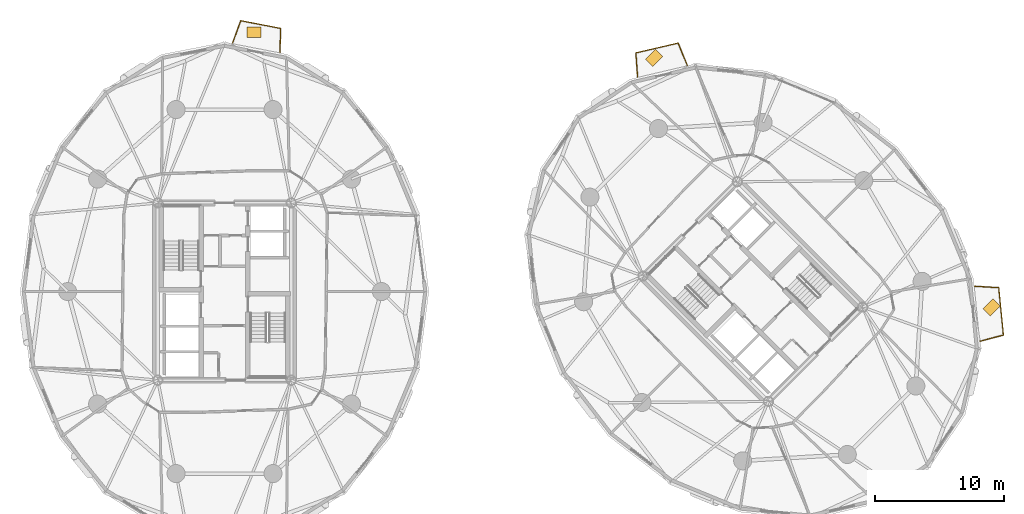
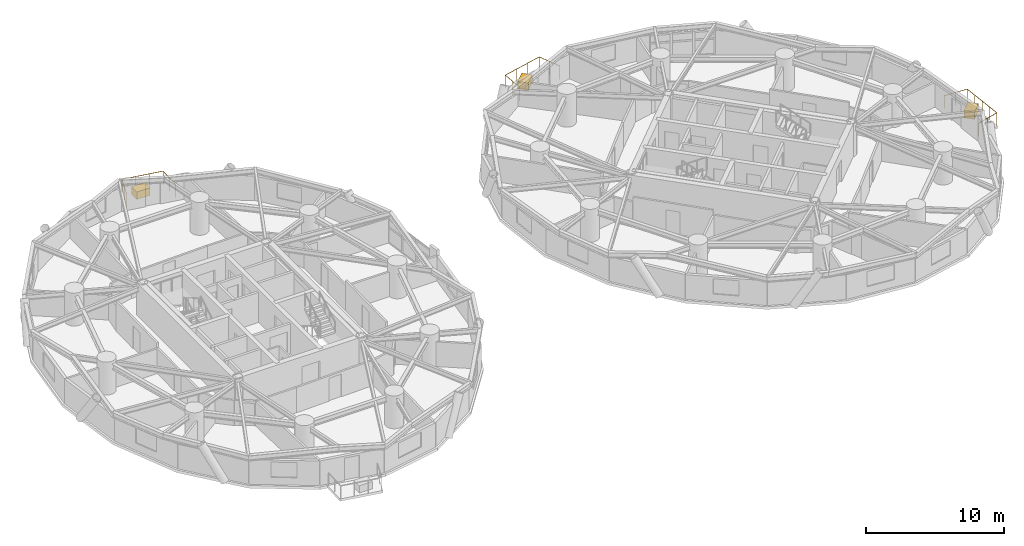
# One storey, part 17 of 17: 3 coverings, 3 railings.
"""IFC4 building model written with IfcOpenShell, lengths in metres."""

from ifc_helpers import new_model, si_unit, direction, frame, origin, origin_2d, place, context, subcontext, project, spatial, rectangle, circle, extrude, source, transform, mapped, material, layer, layer_set, type_object, element, save


model = new_model("IFC4")

# Units and contexts
model_context = context("Model", 3, precision=1e-05, world=origin(), true_north=direction((0.0, 1.0)))
body_context = subcontext(model_context, "Body", "Model", "MODEL_VIEW")
ifc_project = project(units=[si_unit("LENGTHUNIT", "METRE"), si_unit("AREAUNIT", "SQUARE_METRE"), si_unit("VOLUMEUNIT", "CUBIC_METRE"), si_unit("PLANEANGLEUNIT", "RADIAN"), si_unit("MASSUNIT", "GRAM", prefix="KILO")], contexts=[model_context])

# Site, building, storey
site_placement = place(None, origin())
site = spatial("IfcSite", under=ifc_project, at=site_placement, CompositionType="ELEMENT")
building_placement = place(site_placement, origin())
building = spatial("IfcBuilding", under=site, at=building_placement, Name="Cununo Teusaquillo Station Towers", CompositionType="ELEMENT")
storey_placement = place(building_placement, frame((0.0, 0.0, 78.8798828125)))
storey = spatial("IfcBuildingStorey", under=building, at=storey_placement, Name="L24", CompositionType="ELEMENT", Elevation=78.8798828125)

# Railings
ifc_material_1 = material(Name="Anodised dark bronze aluminium EN AW-6063-T6", Category="aluminium")
railing_type_1 = type_object("IfcRailingType", Name="RL-EXT-BALUS", PredefinedType="BALUSTRADE", material=ifc_material_1)
railing_1_placement = place(storey_placement, frame((17.1181640625, 43.771728515625, 0.0)))
element("IfcRailing", 1, at=railing_1_placement, inside=storey, type_object=railing_type_1, Name="L24 Tower A Balcony Guardrail C04", PredefinedType="BALUSTRADE", context=body_context, shape_type="SweptSolid", body=[
    extrude(circle(Radius=0.02392578125, at=origin_2d()), frame((0.0, 0.0, 1.17578125), z_axis=(0.343962021681, 0.9389835609, 0.0), x_axis=(-0.9389835609, 0.343962021681, 0.0)), (0.0, 0.0, 1.0), 1.86328125),
    extrude(circle(Radius=0.02392578125, at=origin_2d()), frame((0.640869140625, 1.74951171875, 1.17578125), z_axis=(0.981834317938, -0.189740275429, 0.0), x_axis=(0.189740275429, 0.981834317938, 0.0)), (0.0, 0.0, 1.0), 3.15380859375),
    extrude(circle(Radius=0.02392578125, at=origin_2d()), frame((3.7373046875, 1.151123046875, 1.17578125), z_axis=(-0.030662031384, -0.999529809376, 0.0), x_axis=(0.999529809376, -0.030662031384, 0.0)), (0.0, 0.0, 1.0), 1.86328125),
    extrude(circle(Radius=0.02099609375, at=origin_2d()), origin(), (0.0, 0.0, 1.0), 1.15185546875),
    extrude(circle(Radius=0.02099609375, at=origin_2d()), frame((0.3203125, 0.874755859375, 0.0)), (0.0, 0.0, 1.0), 1.15185546875),
    extrude(circle(Radius=0.02099609375, at=origin_2d()), frame((0.640869140625, 1.74951171875, 0.0)), (0.0, 0.0, 1.0), 1.15185546875),
    extrude(circle(Radius=0.02099609375, at=origin_2d()), frame((1.673095703125, 1.550048828125, 0.0)), (0.0, 0.0, 1.0), 1.15185546875),
    extrude(circle(Radius=0.02099609375, at=origin_2d()), frame((2.705078125, 1.3505859375, 0.0)), (0.0, 0.0, 1.0), 1.15185546875),
    extrude(circle(Radius=0.02099609375, at=origin_2d()), frame((3.7373046875, 1.151123046875, 0.0)), (0.0, 0.0, 1.0), 1.15185546875),
    extrude(circle(Radius=0.02099609375, at=origin_2d()), frame((3.708740234375, 0.219970703125, 0.0)), (0.0, 0.0, 1.0), 1.15185546875),
    extrude(circle(Radius=0.02099609375, at=origin_2d()), frame((3.68017578125, -0.711181640625, 0.0)), (0.0, 0.0, 1.0), 1.15185546875),
])
railing_2_placement = place(storey_placement, frame((48.55029296875, 41.15771484375, 0.0)))
element("IfcRailing", 2, at=railing_2_placement, inside=storey, type_object=railing_type_1, Name="L24 Tower B Balcony Guardrail C03", PredefinedType="BALUSTRADE", context=body_context, shape_type="SweptSolid", body=[
    extrude(circle(Radius=0.02392578125, at=origin_2d()), frame((0.0, 0.0, 1.17578125), z_axis=(-0.069053440488, 0.997612962204, 0.0), x_axis=(-0.997612962204, -0.069053440488, 0.0)), (0.0, 0.0, 1.0), 1.86669921875),
    extrude(circle(Radius=0.02392578125, at=origin_2d()), frame((-0.12890625, 1.8623046875, 1.17578125), z_axis=(0.973836929395, 0.227247959168, 0.0), x_axis=(-0.227247959168, 0.973836929395, 0.0)), (0.0, 0.0, 1.0), 3.365966796875),
    extrude(circle(Radius=0.02392578125, at=origin_2d()), frame((3.14892578125, 2.627197265625, 1.17578125), z_axis=(0.379585063145, -0.925156840669, 0.0), x_axis=(0.925156840669, 0.379585063145, 0.0)), (0.0, 0.0, 1.0), 1.866455078125),
    extrude(circle(Radius=0.02099609375, at=origin_2d()), origin(), (0.0, 0.0, 1.0), 1.15185546875),
    extrude(circle(Radius=0.02099609375, at=origin_2d()), frame((-0.064453125, 0.93115234375, 0.0)), (0.0, 0.0, 1.0), 1.15185546875),
    extrude(circle(Radius=0.02099609375, at=origin_2d()), frame((-0.12890625, 1.8623046875, 0.0)), (0.0, 0.0, 1.0), 1.15185546875),
    extrude(circle(Radius=0.02099609375, at=origin_2d()), frame((0.963623046875, 2.1171875, 0.0)), (0.0, 0.0, 1.0), 1.15185546875),
    extrude(circle(Radius=0.02099609375, at=origin_2d()), frame((2.056396484375, 2.372314453125, 0.0)), (0.0, 0.0, 1.0), 1.15185546875),
    extrude(circle(Radius=0.02099609375, at=origin_2d()), frame((3.14892578125, 2.627197265625, 0.0)), (0.0, 0.0, 1.0), 1.15185546875),
    extrude(circle(Radius=0.02099609375, at=origin_2d()), frame((3.503173828125, 1.763671875, 0.0)), (0.0, 0.0, 1.0), 1.15185546875),
    extrude(circle(Radius=0.02099609375, at=origin_2d()), frame((3.857421875, 0.900390625, 0.0)), (0.0, 0.0, 1.0), 1.15185546875),
])
ifc_material_2 = material(Name="Anodised dark bronze aluminium EN AW-6063-T6", Category="aluminium")
railing_type_2 = type_object("IfcRailingType", Name="RL-EXT-GUARD", PredefinedType="GUARDRAIL", material=ifc_material_2)
railing_3_placement = place(storey_placement, frame((74.7138671875, 24.914306640625, 0.0)))
element("IfcRailing", 3, at=railing_3_placement, inside=storey, type_object=railing_type_2, Name="L24 Tower B Balcony Guardrail C17", PredefinedType="GUARDRAIL", context=body_context, shape_type="SweptSolid", body=[
    extrude(circle(Radius=0.02392578125, at=origin_2d()), frame((0.0, 0.0, 1.1259765625), z_axis=(0.998126483753, -0.061184331575, 0.0), x_axis=(0.061184331575, 0.998126483753, 0.0)), (0.0, 0.0, 1.0), 1.871337890625),
    extrude(circle(Radius=0.02392578125, at=origin_2d()), frame((1.867919921875, -0.114501953125, 1.1259765625), z_axis=(0.098593628704, -0.99512777892, 0.0), x_axis=(0.99512777892, 0.098593628704, 0.0)), (0.0, 0.0, 1.0), 3.692138671875),
    extrude(circle(Radius=0.02392578125, at=origin_2d()), frame((2.23193359375, -3.78857421875, 1.1259765625), z_axis=(-0.966720413281, -0.255835186295, 0.0), x_axis=(0.255835186295, -0.966720413281, 0.0)), (0.0, 0.0, 1.0), 1.871337890625),
    extrude(circle(Radius=0.02099609375, at=origin_2d()), origin(), (0.0, 0.0, 1.0), 1.101806640625),
    extrude(circle(Radius=0.02099609375, at=origin_2d()), frame((0.93408203125, -0.05712890625, 0.0)), (0.0, 0.0, 1.0), 1.101806640625),
    extrude(circle(Radius=0.02099609375, at=origin_2d()), frame((1.867919921875, -0.114501953125, 0.0)), (0.0, 0.0, 1.0), 1.101806640625),
    extrude(circle(Radius=0.02099609375, at=origin_2d()), frame((1.958984375, -1.032958984375, 0.0)), (0.0, 0.0, 1.0), 1.101806640625),
    extrude(circle(Radius=0.02099609375, at=origin_2d()), frame((2.0498046875, -1.95166015625, 0.0)), (0.0, 0.0, 1.0), 1.101806640625),
    extrude(circle(Radius=0.02099609375, at=origin_2d()), frame((2.140869140625, -2.8701171875, 0.0)), (0.0, 0.0, 1.0), 1.101806640625),
    extrude(circle(Radius=0.02099609375, at=origin_2d()), frame((2.23193359375, -3.78857421875, 0.0)), (0.0, 0.0, 1.0), 1.101806640625),
    extrude(circle(Radius=0.02099609375, at=origin_2d()), frame((1.327392578125, -4.02783203125, 0.0)), (0.0, 0.0, 1.0), 1.101806640625),
    extrude(circle(Radius=0.02099609375, at=origin_2d()), frame((0.4228515625, -4.267333984375, 0.0)), (0.0, 0.0, 1.0), 1.101806640625),
])

# Coverings
ifc_material_3 = material(Name="Architectural GRC planter shell and engineered root-zone substrate", Category="concrete")
ifc_layer = layer(ifc_material_3, 0.64990234375)
ifc_layer_set = layer_set([ifc_layer], Name="Architectural GRC planter shell and engineered root-zone substrate")
covering_type = type_object("IfcCoveringType", Name="COV-TREE-PLANTER", PredefinedType="CLADDING", material=ifc_layer_set)
shared_shape = source(origin(), body_context, "Body", "SweptSolid", [
    extrude(rectangle(XDim=1.10009765625, YDim=0.800048828125, at=origin_2d()), origin(), (0.0, 0.0, 1.0), 0.64990234375),
])
for number, where, z_axis, x_axis, name in (
    (4, (18.7978515625, 44.614501953125, 0.000244140625), (0.0, 0.0, 1.0), (1.0, 0.0, 0.0), "L24 Tower A Balcony Tree PLANTER C04"),
    (5, (49.84326171875, 42.63818359375, 0.000244140625), (0.0, 0.0, 1.0), (0.707106781187, 0.707106781187, 0.0), "L24 Tower B Balcony Tree PLANTER C03"),
    (6, (76.031494140625, 23.277099609375, 0.000244140625), (0.0, 0.0, 1.0), (0.707106781187, 0.707106781187, 0.0), "L24 Tower B Balcony Tree PLANTER C17"),
):
    element("IfcCovering", number, at=place(storey_placement, frame(where, z_axis=z_axis, x_axis=x_axis)), inside=storey, type_object=covering_type, Name=name, PredefinedType="CLADDING", context=body_context, shape_type="MappedRepresentation", body=[
        mapped(shared_shape, transform((0.0, 0.0, 0.0), x_axis=(1.0, 0.0, 0.0), y_axis=(0.0, 1.0, 0.0), z_axis=(0.0, 0.0, 1.0), scale=1.0)),
    ])

save(model, "model.ifc")
